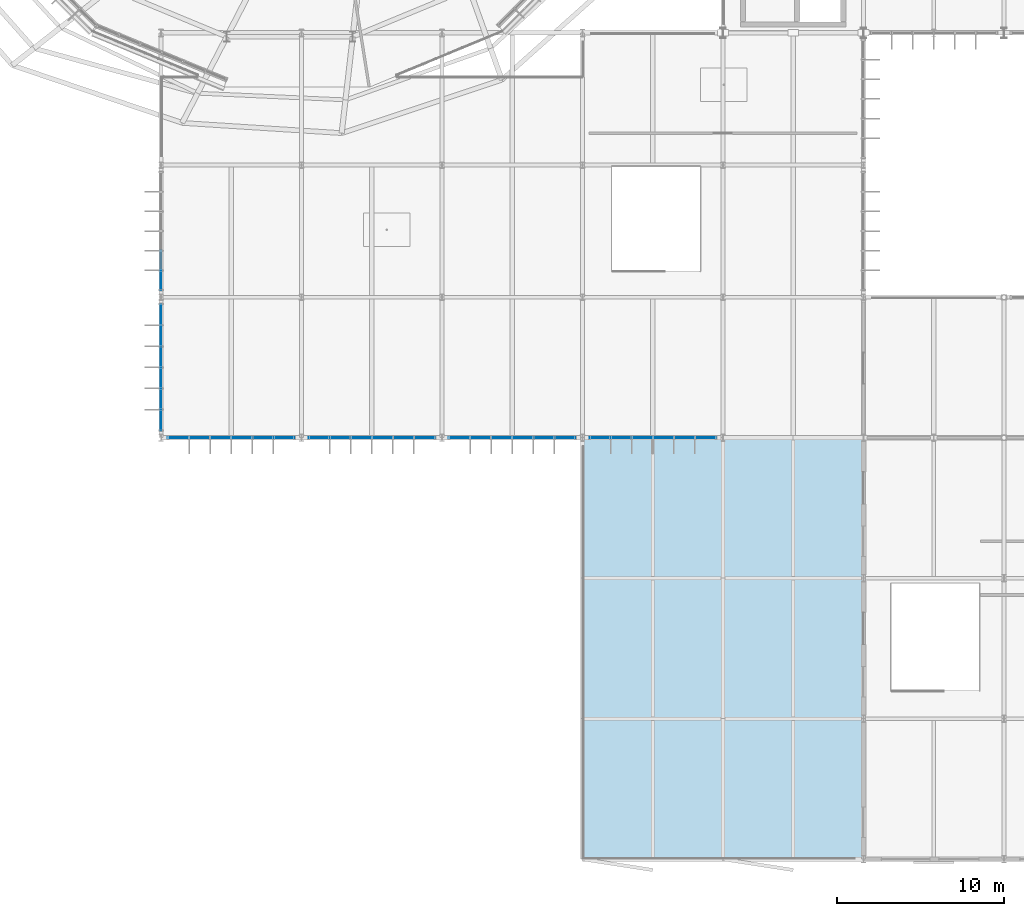
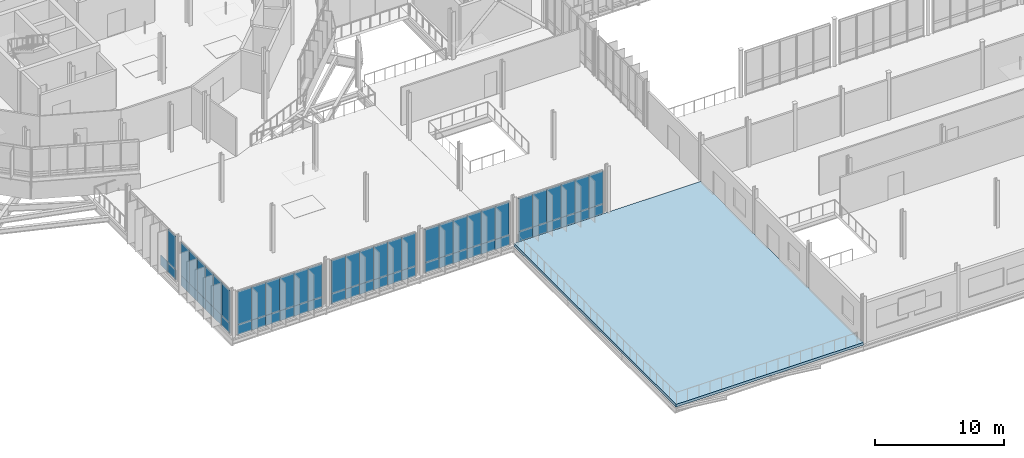
# One storey, part 85 of 139: 63 plates, 1 slab, 6 elements without a shape of their own.
"""IFC4 building model written with IfcOpenShell, lengths in metres."""

from ifc_helpers import new_model, si_unit, derived_unit, direction, frame, origin, origin_2d, place, context, subcontext, project, spatial, polyline, rectangle, outline, extrude, material, layer, layer_set, type_object, element, aggregate, save


model = new_model("IFC4")

# Units and contexts
model_context = context("Model", 3, precision=1e-05, world=origin(), true_north=direction((0.0, 1.0)))
body_context = subcontext(model_context, "Body", "Model", "MODEL_VIEW")
ifc_project = project(units=[si_unit("LENGTHUNIT", "METRE"), si_unit("AREAUNIT", "SQUARE_METRE"), si_unit("VOLUMEUNIT", "CUBIC_METRE"), si_unit("PLANEANGLEUNIT", "RADIAN"), si_unit("MASSUNIT", "GRAM", prefix="KILO"), derived_unit("THERMALTRANSMITTANCEUNIT", [(si_unit("MASSUNIT", "GRAM", prefix="KILO"), 1), (si_unit("TIMEUNIT", "SECOND"), -3), (si_unit("THERMODYNAMICTEMPERATUREUNIT", "KELVIN"), -1)])], contexts=[model_context])

# Site, building, storey
site_placement = place(None, origin())
site = spatial("IfcSite", under=ifc_project, at=site_placement, CompositionType="ELEMENT")
building_placement = place(site_placement, origin())
building = spatial("IfcBuilding", under=site, at=building_placement, Name="Makaiwela Harbour Ferry Terminal", CompositionType="ELEMENT")
storey_placement = place(building_placement, frame((0.0, 0.0, 5.10009765625)))
storey = spatial("IfcBuildingStorey", under=building, at=storey_placement, Name="L01", CompositionType="ELEMENT", Elevation=5.10009765625)

# Curtain wall, plates
ifc_material_1 = material(Name="Marine anodised aluminium 6063-T6", Category="aluminium")
ifc_layer_1 = layer(ifc_material_1, 0.199951171875)
ifc_layer_set_1 = layer_set([ifc_layer_1], Name="Marine anodised aluminium 6063-T6")
curtain_wall_type_1 = type_object("IfcCurtainWallType", Name="ENV-CW-08", PredefinedType="USERDEFINED", material=ifc_layer_set_1)
curtain_wall_1_placement = place(storey_placement, origin())
curtain_wall_1 = element("IfcCurtainWall", 1, at=curtain_wall_1_placement, inside=storey, type_object=curtain_wall_type_1, Name="Unitised Curtain Wall CWA-098", ObjectType="UNITIZED CURTAIN WALL", PredefinedType="USERDEFINED")
ifc_material_2 = material(Name="Laminated hurricane-impact low-E insulated glazing", Category="glass")
ifc_layer_2 = layer(ifc_material_2, 0.031982421875)
ifc_layer_set_2 = layer_set([ifc_layer_2], Name="Laminated hurricane-impact low-E insulated glazing")
plate_type_1 = type_object("IfcPlateType", Name="CW-PNL-G12", PredefinedType="CURTAIN_PANEL", material=ifc_layer_set_2)
plate_1_placement = place(storey_placement, frame((36.75, 25.199951171875, 0.949951171875), z_axis=(0.0, 0.0, 1.0), x_axis=(-1.0, 0.0, 0.0)))
plate_1 = element("IfcPlate", 2, at=plate_1_placement, type_object=plate_type_1, Name="Glazed Vision Panel CWA-098-1G", PredefinedType="CURTAIN_PANEL", context=body_context, shape_type="SweptSolid", body=[
    extrude(rectangle(XDim=1.260009765625, YDim=0.031982421875, at=origin_2d()), origin(), (0.0, 0.0, 1.0), 3.14990234375),
])
plate_2_placement = place(storey_placement, frame((35.489990234375, 25.199951171875, 0.949951171875), z_axis=(0.0, 0.0, 1.0), x_axis=(-1.0, 0.0, 0.0)))
plate_2 = element("IfcPlate", 3, at=plate_2_placement, type_object=plate_type_1, Name="Glazed Vision Panel CWA-098-2G", PredefinedType="CURTAIN_PANEL", context=body_context, shape_type="SweptSolid", body=[
    extrude(rectangle(XDim=1.260009765625, YDim=0.031982421875, at=origin_2d()), origin(), (0.0, 0.0, 1.0), 3.14990234375),
])
plate_3_placement = place(storey_placement, frame((34.22998046875, 25.199951171875, 0.949951171875), z_axis=(0.0, 0.0, 1.0), x_axis=(-1.0, 0.0, 0.0)))
plate_3 = element("IfcPlate", 4, at=plate_3_placement, type_object=plate_type_1, Name="Glazed Vision Panel CWA-098-3G", PredefinedType="CURTAIN_PANEL", context=body_context, shape_type="SweptSolid", body=[
    extrude(rectangle(XDim=1.260009765625, YDim=0.031982421875, at=origin_2d()), origin(), (0.0, 0.0, 1.0), 3.14990234375),
])
plate_4_placement = place(storey_placement, frame((32.969970703125, 25.199951171875, 0.949951171875), z_axis=(0.0, 0.0, 1.0), x_axis=(-1.0, 0.0, 0.0)))
plate_4 = element("IfcPlate", 5, at=plate_4_placement, type_object=plate_type_1, Name="Glazed Vision Panel CWA-098-4G", PredefinedType="CURTAIN_PANEL", context=body_context, shape_type="SweptSolid", body=[
    extrude(rectangle(XDim=1.260009765625, YDim=0.031982421875, at=origin_2d()), origin(), (0.0, 0.0, 1.0), 3.14990234375),
])
plate_5_placement = place(storey_placement, frame((31.7099609375, 25.199951171875, 0.949951171875), z_axis=(0.0, 0.0, 1.0), x_axis=(-1.0, 0.0, 0.0)))
plate_5 = element("IfcPlate", 6, at=plate_5_placement, type_object=plate_type_1, Name="Glazed Vision Panel CWA-098-5G", PredefinedType="CURTAIN_PANEL", context=body_context, shape_type="SweptSolid", body=[
    extrude(rectangle(XDim=1.260009765625, YDim=0.031982421875, at=origin_2d()), origin(), (0.0, 0.0, 1.0), 3.14990234375),
])
plate_6_placement = place(storey_placement, frame((30.449951171875, 25.199951171875, 0.949951171875), z_axis=(0.0, 0.0, 1.0), x_axis=(-1.0, 0.0, 0.0)))
plate_6 = element("IfcPlate", 7, at=plate_6_placement, type_object=plate_type_1, Name="Glazed Vision Panel CWA-098-6G", PredefinedType="CURTAIN_PANEL", context=body_context, shape_type="SweptSolid", body=[
    extrude(rectangle(XDim=1.260009765625, YDim=0.031982421875, at=origin_2d()), origin(), (0.0, 0.0, 1.0), 3.14990234375),
])

curtain_wall_2_placement = place(storey_placement, origin())
curtain_wall_2 = element("IfcCurtainWall", 8, at=curtain_wall_2_placement, inside=storey, type_object=curtain_wall_type_1, Name="Unitised Curtain Wall CWA-101", ObjectType="UNITIZED CURTAIN WALL", PredefinedType="USERDEFINED")
plate_7_placement = place(storey_placement, frame((45.14990234375, 25.199951171875, 0.949951171875), z_axis=(0.0, 0.0, 1.0), x_axis=(-1.0, 0.0, 0.0)))
plate_7 = element("IfcPlate", 9, at=plate_7_placement, type_object=plate_type_1, Name="Glazed Vision Panel CWA-101-1G", PredefinedType="CURTAIN_PANEL", context=body_context, shape_type="SweptSolid", body=[
    extrude(rectangle(XDim=1.260009765625, YDim=0.031982421875, at=origin_2d()), origin(), (0.0, 0.0, 1.0), 3.14990234375),
])
plate_8_placement = place(storey_placement, frame((43.889892578125, 25.199951171875, 0.949951171875), z_axis=(0.0, 0.0, 1.0), x_axis=(-1.0, 0.0, 0.0)))
plate_8 = element("IfcPlate", 10, at=plate_8_placement, type_object=plate_type_1, Name="Glazed Vision Panel CWA-101-2G", PredefinedType="CURTAIN_PANEL", context=body_context, shape_type="SweptSolid", body=[
    extrude(rectangle(XDim=1.260009765625, YDim=0.031982421875, at=origin_2d()), origin(), (0.0, 0.0, 1.0), 3.14990234375),
])
plate_9_placement = place(storey_placement, frame((42.6298828125, 25.199951171875, 0.949951171875), z_axis=(0.0, 0.0, 1.0), x_axis=(-1.0, 0.0, 0.0)))
plate_9 = element("IfcPlate", 11, at=plate_9_placement, type_object=plate_type_1, Name="Glazed Vision Panel CWA-101-3G", PredefinedType="CURTAIN_PANEL", context=body_context, shape_type="SweptSolid", body=[
    extrude(rectangle(XDim=1.260009765625, YDim=0.031982421875, at=origin_2d()), origin(), (0.0, 0.0, 1.0), 3.14990234375),
])
plate_10_placement = place(storey_placement, frame((41.3701171875, 25.199951171875, 0.949951171875), z_axis=(0.0, 0.0, 1.0), x_axis=(-1.0, 0.0, 0.0)))
plate_10 = element("IfcPlate", 12, at=plate_10_placement, type_object=plate_type_1, Name="Glazed Vision Panel CWA-101-4G", PredefinedType="CURTAIN_PANEL", context=body_context, shape_type="SweptSolid", body=[
    extrude(rectangle(XDim=1.260009765625, YDim=0.031982421875, at=origin_2d()), origin(), (0.0, 0.0, 1.0), 3.14990234375),
])
plate_11_placement = place(storey_placement, frame((40.110107421875, 25.199951171875, 0.949951171875), z_axis=(0.0, 0.0, 1.0), x_axis=(-1.0, 0.0, 0.0)))
plate_11 = element("IfcPlate", 13, at=plate_11_placement, type_object=plate_type_1, Name="Glazed Vision Panel CWA-101-5G", PredefinedType="CURTAIN_PANEL", context=body_context, shape_type="SweptSolid", body=[
    extrude(rectangle(XDim=1.260009765625, YDim=0.031982421875, at=origin_2d()), origin(), (0.0, 0.0, 1.0), 3.14990234375),
])
plate_12_placement = place(storey_placement, frame((38.85009765625, 25.199951171875, 0.949951171875), z_axis=(0.0, 0.0, 1.0), x_axis=(-1.0, 0.0, 0.0)))
plate_12 = element("IfcPlate", 14, at=plate_12_placement, type_object=plate_type_1, Name="Glazed Vision Panel CWA-101-6G", PredefinedType="CURTAIN_PANEL", context=body_context, shape_type="SweptSolid", body=[
    extrude(rectangle(XDim=1.260009765625, YDim=0.031982421875, at=origin_2d()), origin(), (0.0, 0.0, 1.0), 3.14990234375),
])

curtain_wall_3_placement = place(storey_placement, origin())
curtain_wall_3 = element("IfcCurtainWall", 15, at=curtain_wall_3_placement, inside=storey, type_object=curtain_wall_type_1, Name="Unitised Curtain Wall CWA-104", ObjectType="UNITIZED CURTAIN WALL", PredefinedType="USERDEFINED")
plate_13_placement = place(storey_placement, frame((53.550048828125, 25.199951171875, 0.949951171875), z_axis=(0.0, 0.0, 1.0), x_axis=(-1.0, 0.0, 0.0)))
plate_13 = element("IfcPlate", 16, at=plate_13_placement, type_object=plate_type_1, Name="Glazed Vision Panel CWA-104-1G", PredefinedType="CURTAIN_PANEL", context=body_context, shape_type="SweptSolid", body=[
    extrude(rectangle(XDim=1.260009765625, YDim=0.031982421875, at=origin_2d()), origin(), (0.0, 0.0, 1.0), 3.14990234375),
])
plate_14_placement = place(storey_placement, frame((52.2900390625, 25.199951171875, 0.949951171875), z_axis=(0.0, 0.0, 1.0), x_axis=(-1.0, 0.0, 0.0)))
plate_14 = element("IfcPlate", 17, at=plate_14_placement, type_object=plate_type_1, Name="Glazed Vision Panel CWA-104-2G", PredefinedType="CURTAIN_PANEL", context=body_context, shape_type="SweptSolid", body=[
    extrude(rectangle(XDim=1.260009765625, YDim=0.031982421875, at=origin_2d()), origin(), (0.0, 0.0, 1.0), 3.14990234375),
])
plate_15_placement = place(storey_placement, frame((51.030029296875, 25.199951171875, 0.949951171875), z_axis=(0.0, 0.0, 1.0), x_axis=(-1.0, 0.0, 0.0)))
plate_15 = element("IfcPlate", 18, at=plate_15_placement, type_object=plate_type_1, Name="Glazed Vision Panel CWA-104-3G", PredefinedType="CURTAIN_PANEL", context=body_context, shape_type="SweptSolid", body=[
    extrude(rectangle(XDim=1.260009765625, YDim=0.031982421875, at=origin_2d()), origin(), (0.0, 0.0, 1.0), 3.14990234375),
])
plate_16_placement = place(storey_placement, frame((49.77001953125, 25.199951171875, 0.949951171875), z_axis=(0.0, 0.0, 1.0), x_axis=(-1.0, 0.0, 0.0)))
plate_16 = element("IfcPlate", 19, at=plate_16_placement, type_object=plate_type_1, Name="Glazed Vision Panel CWA-104-4G", PredefinedType="CURTAIN_PANEL", context=body_context, shape_type="SweptSolid", body=[
    extrude(rectangle(XDim=1.260009765625, YDim=0.031982421875, at=origin_2d()), origin(), (0.0, 0.0, 1.0), 3.14990234375),
])
plate_17_placement = place(storey_placement, frame((48.510009765625, 25.199951171875, 0.949951171875), z_axis=(0.0, 0.0, 1.0), x_axis=(-1.0, 0.0, 0.0)))
plate_17 = element("IfcPlate", 20, at=plate_17_placement, type_object=plate_type_1, Name="Glazed Vision Panel CWA-104-5G", PredefinedType="CURTAIN_PANEL", context=body_context, shape_type="SweptSolid", body=[
    extrude(rectangle(XDim=1.260009765625, YDim=0.031982421875, at=origin_2d()), origin(), (0.0, 0.0, 1.0), 3.14990234375),
])
plate_18_placement = place(storey_placement, frame((47.25, 25.199951171875, 0.949951171875), z_axis=(0.0, 0.0, 1.0), x_axis=(-1.0, 0.0, 0.0)))
plate_18 = element("IfcPlate", 21, at=plate_18_placement, type_object=plate_type_1, Name="Glazed Vision Panel CWA-104-6G", PredefinedType="CURTAIN_PANEL", context=body_context, shape_type="SweptSolid", body=[
    extrude(rectangle(XDim=1.260009765625, YDim=0.031982421875, at=origin_2d()), origin(), (0.0, 0.0, 1.0), 3.14990234375),
])

curtain_wall_4_placement = place(storey_placement, origin())
curtain_wall_4 = element("IfcCurtainWall", 22, at=curtain_wall_4_placement, inside=storey, type_object=curtain_wall_type_1, Name="Unitised Curtain Wall CWA-106", ObjectType="UNITIZED CURTAIN WALL", PredefinedType="USERDEFINED")
plate_19_placement = place(storey_placement, frame((61.949951171875, 25.199951171875, 0.949951171875), z_axis=(0.0, 0.0, 1.0), x_axis=(-1.0, 0.0, 0.0)))
plate_19 = element("IfcPlate", 23, at=plate_19_placement, type_object=plate_type_1, Name="Glazed Vision Panel CWA-106-1G", PredefinedType="CURTAIN_PANEL", context=body_context, shape_type="SweptSolid", body=[
    extrude(rectangle(XDim=1.260009765625, YDim=0.031982421875, at=origin_2d()), origin(), (0.0, 0.0, 1.0), 3.14990234375),
])
plate_20_placement = place(storey_placement, frame((60.68994140625, 25.199951171875, 0.949951171875), z_axis=(0.0, 0.0, 1.0), x_axis=(-1.0, 0.0, 0.0)))
plate_20 = element("IfcPlate", 24, at=plate_20_placement, type_object=plate_type_1, Name="Glazed Vision Panel CWA-106-2G", PredefinedType="CURTAIN_PANEL", context=body_context, shape_type="SweptSolid", body=[
    extrude(rectangle(XDim=1.260009765625, YDim=0.031982421875, at=origin_2d()), origin(), (0.0, 0.0, 1.0), 3.14990234375),
])
plate_21_placement = place(storey_placement, frame((59.429931640625, 25.199951171875, 0.949951171875), z_axis=(0.0, 0.0, 1.0), x_axis=(-1.0, 0.0, 0.0)))
plate_21 = element("IfcPlate", 25, at=plate_21_placement, type_object=plate_type_1, Name="Glazed Vision Panel CWA-106-3G", PredefinedType="CURTAIN_PANEL", context=body_context, shape_type="SweptSolid", body=[
    extrude(rectangle(XDim=1.260009765625, YDim=0.031982421875, at=origin_2d()), origin(), (0.0, 0.0, 1.0), 3.14990234375),
])
plate_22_placement = place(storey_placement, frame((58.169921875, 25.199951171875, 0.949951171875), z_axis=(0.0, 0.0, 1.0), x_axis=(-1.0, 0.0, 0.0)))
plate_22 = element("IfcPlate", 26, at=plate_22_placement, type_object=plate_type_1, Name="Glazed Vision Panel CWA-106-4G", PredefinedType="CURTAIN_PANEL", context=body_context, shape_type="SweptSolid", body=[
    extrude(rectangle(XDim=1.260009765625, YDim=0.031982421875, at=origin_2d()), origin(), (0.0, 0.0, 1.0), 3.14990234375),
])
plate_23_placement = place(storey_placement, frame((56.909912109375, 25.199951171875, 0.949951171875), z_axis=(0.0, 0.0, 1.0), x_axis=(-1.0, 0.0, 0.0)))
plate_23 = element("IfcPlate", 27, at=plate_23_placement, type_object=plate_type_1, Name="Glazed Vision Panel CWA-106-5G", PredefinedType="CURTAIN_PANEL", context=body_context, shape_type="SweptSolid", body=[
    extrude(rectangle(XDim=1.260009765625, YDim=0.031982421875, at=origin_2d()), origin(), (0.0, 0.0, 1.0), 3.14990234375),
])
plate_24_placement = place(storey_placement, frame((55.64990234375, 25.199951171875, 0.949951171875), z_axis=(0.0, 0.0, 1.0), x_axis=(-1.0, 0.0, 0.0)))
plate_24 = element("IfcPlate", 28, at=plate_24_placement, type_object=plate_type_1, Name="Glazed Vision Panel CWA-106-6G", PredefinedType="CURTAIN_PANEL", context=body_context, shape_type="SweptSolid", body=[
    extrude(rectangle(XDim=1.260009765625, YDim=0.031982421875, at=origin_2d()), origin(), (0.0, 0.0, 1.0), 3.14990234375),
])

curtain_wall_5_placement = place(storey_placement, origin())
curtain_wall_5 = element("IfcCurtainWall", 29, at=curtain_wall_5_placement, inside=storey, type_object=curtain_wall_type_1, Name="Unitised Curtain Wall CWA-115", ObjectType="UNITIZED CURTAIN WALL", PredefinedType="USERDEFINED")
plate_25_placement = place(storey_placement, frame((29.39990234375, 26.25, 0.949951171875), z_axis=(0.0, 0.0, 1.0), x_axis=(0.0, 1.0, 0.0)))
plate_25 = element("IfcPlate", 30, at=plate_25_placement, type_object=plate_type_1, Name="Glazed Vision Panel CWA-115-1G", PredefinedType="CURTAIN_PANEL", context=body_context, shape_type="SweptSolid", body=[
    extrude(rectangle(XDim=1.260009765625, YDim=0.031982421875, at=origin_2d()), origin(), (0.0, 0.0, 1.0), 3.14990234375),
])
plate_26_placement = place(storey_placement, frame((29.39990234375, 27.510009765625, 0.949951171875), z_axis=(0.0, 0.0, 1.0), x_axis=(0.0, 1.0, 0.0)))
plate_26 = element("IfcPlate", 31, at=plate_26_placement, type_object=plate_type_1, Name="Glazed Vision Panel CWA-115-2G", PredefinedType="CURTAIN_PANEL", context=body_context, shape_type="SweptSolid", body=[
    extrude(rectangle(XDim=1.260009765625, YDim=0.031982421875, at=origin_2d()), origin(), (0.0, 0.0, 1.0), 3.14990234375),
])
plate_27_placement = place(storey_placement, frame((29.39990234375, 28.77001953125, 0.949951171875), z_axis=(0.0, 0.0, 1.0), x_axis=(0.0, 1.0, 0.0)))
plate_27 = element("IfcPlate", 32, at=plate_27_placement, type_object=plate_type_1, Name="Glazed Vision Panel CWA-115-3G", PredefinedType="CURTAIN_PANEL", context=body_context, shape_type="SweptSolid", body=[
    extrude(rectangle(XDim=1.260009765625, YDim=0.031982421875, at=origin_2d()), origin(), (0.0, 0.0, 1.0), 3.14990234375),
])
plate_28_placement = place(storey_placement, frame((29.39990234375, 30.030029296875, 0.949951171875), z_axis=(0.0, 0.0, 1.0), x_axis=(0.0, 1.0, 0.0)))
plate_28 = element("IfcPlate", 33, at=plate_28_placement, type_object=plate_type_1, Name="Glazed Vision Panel CWA-115-4G", PredefinedType="CURTAIN_PANEL", context=body_context, shape_type="SweptSolid", body=[
    extrude(rectangle(XDim=1.260009765625, YDim=0.031982421875, at=origin_2d()), origin(), (0.0, 0.0, 1.0), 3.14990234375),
])
plate_29_placement = place(storey_placement, frame((29.39990234375, 31.2900390625, 0.949951171875), z_axis=(0.0, 0.0, 1.0), x_axis=(0.0, 1.0, 0.0)))
plate_29 = element("IfcPlate", 34, at=plate_29_placement, type_object=plate_type_1, Name="Glazed Vision Panel CWA-115-5G", PredefinedType="CURTAIN_PANEL", context=body_context, shape_type="SweptSolid", body=[
    extrude(rectangle(XDim=1.260009765625, YDim=0.031982421875, at=origin_2d()), origin(), (0.0, 0.0, 1.0), 3.14990234375),
])
plate_30_placement = place(storey_placement, frame((29.39990234375, 32.550048828125, 0.949951171875), z_axis=(0.0, 0.0, 1.0), x_axis=(0.0, 1.0, 0.0)))
plate_30 = element("IfcPlate", 35, at=plate_30_placement, type_object=plate_type_1, Name="Glazed Vision Panel CWA-115-6G", PredefinedType="CURTAIN_PANEL", context=body_context, shape_type="SweptSolid", body=[
    extrude(rectangle(XDim=1.260009765625, YDim=0.031982421875, at=origin_2d()), origin(), (0.0, 0.0, 1.0), 3.14990234375),
])

# Curtain wall, plate
ifc_layer_3 = layer(ifc_material_1, 0.199951171875)
ifc_layer_set_3 = layer_set([ifc_layer_3], Name="Marine anodised aluminium 6063-T6")
curtain_wall_type_2 = type_object("IfcCurtainWallType", Name="ENV-CW-13", PredefinedType="USERDEFINED", material=ifc_layer_set_3)
curtain_wall_6_placement = place(storey_placement, origin())
curtain_wall_6 = element("IfcCurtainWall", 36, at=curtain_wall_6_placement, inside=storey, type_object=curtain_wall_type_2, Name="Unitised Curtain Wall CWA-118", ObjectType="UNITIZED CURTAIN WALL", PredefinedType="USERDEFINED")
ifc_layer_4 = layer(ifc_material_2, 0.031982421875)
ifc_layer_set_4 = layer_set([ifc_layer_4], Name="Laminated hurricane-impact low-E insulated glazing")
plate_type_2 = type_object("IfcPlateType", Name="CW-PNL-G18", PredefinedType="CURTAIN_PANEL", material=ifc_layer_set_4)
plate_31_placement = place(storey_placement, frame((29.39990234375, 34.6083984375, 0.949951171875), z_axis=(0.0, 0.0, 1.0), x_axis=(0.0, 1.0, 0.0)))
plate_31 = element("IfcPlate", 37, at=plate_31_placement, type_object=plate_type_2, Name="Glazed Vision Panel CWA-118-1G", PredefinedType="CURTAIN_PANEL", context=body_context, shape_type="SweptSolid", body=[
    extrude(rectangle(XDim=1.1767578125, YDim=0.031982421875, at=origin_2d()), origin(), (0.0, 0.0, 1.0), 3.14990234375),
])

# Plate
ifc_material_3 = material(Name="Insulated marine aluminium spandrel panel", Category="aluminium")
ifc_layer_5 = layer(ifc_material_3, 0.048095703125)
ifc_layer_set_5 = layer_set([ifc_layer_5], Name="Insulated marine aluminium spandrel panel")
plate_type_3 = type_object("IfcPlateType", Name="CW-PNL-S11", PredefinedType="CURTAIN_PANEL", material=ifc_layer_set_5)
plate_32_placement = place(storey_placement, frame((36.75, 25.199951171875, 0.0), z_axis=(0.0, 0.0, 1.0), x_axis=(-1.0, 0.0, 0.0)))
plate_32 = element("IfcPlate", 38, at=plate_32_placement, type_object=plate_type_3, Name="Spandrel Panel CWA-098-1S", PredefinedType="CURTAIN_PANEL", context=body_context, shape_type="SweptSolid", body=[
    extrude(rectangle(XDim=1.260009765625, YDim=0.048095703125, at=origin_2d()), origin(), (0.0, 0.0, 1.0), 0.949951171875),
])

plate_33_placement = place(storey_placement, frame((35.489990234375, 25.199951171875, 0.0), z_axis=(0.0, 0.0, 1.0), x_axis=(-1.0, 0.0, 0.0)))
plate_33 = element("IfcPlate", 39, at=plate_33_placement, type_object=plate_type_3, Name="Spandrel Panel CWA-098-2S", PredefinedType="CURTAIN_PANEL", context=body_context, shape_type="SweptSolid", body=[
    extrude(rectangle(XDim=1.260009765625, YDim=0.048095703125, at=origin_2d()), origin(), (0.0, 0.0, 1.0), 0.949951171875),
])

plate_34_placement = place(storey_placement, frame((34.22998046875, 25.199951171875, 0.0), z_axis=(0.0, 0.0, 1.0), x_axis=(-1.0, 0.0, 0.0)))
plate_34 = element("IfcPlate", 40, at=plate_34_placement, type_object=plate_type_3, Name="Spandrel Panel CWA-098-3S", PredefinedType="CURTAIN_PANEL", context=body_context, shape_type="SweptSolid", body=[
    extrude(rectangle(XDim=1.260009765625, YDim=0.048095703125, at=origin_2d()), origin(), (0.0, 0.0, 1.0), 0.949951171875),
])

plate_35_placement = place(storey_placement, frame((32.969970703125, 25.199951171875, 0.0), z_axis=(0.0, 0.0, 1.0), x_axis=(-1.0, 0.0, 0.0)))
plate_35 = element("IfcPlate", 41, at=plate_35_placement, type_object=plate_type_3, Name="Spandrel Panel CWA-098-4S", PredefinedType="CURTAIN_PANEL", context=body_context, shape_type="SweptSolid", body=[
    extrude(rectangle(XDim=1.260009765625, YDim=0.048095703125, at=origin_2d()), origin(), (0.0, 0.0, 1.0), 0.949951171875),
])

plate_36_placement = place(storey_placement, frame((31.7099609375, 25.199951171875, 0.0), z_axis=(0.0, 0.0, 1.0), x_axis=(-1.0, 0.0, 0.0)))
plate_36 = element("IfcPlate", 42, at=plate_36_placement, type_object=plate_type_3, Name="Spandrel Panel CWA-098-5S", PredefinedType="CURTAIN_PANEL", context=body_context, shape_type="SweptSolid", body=[
    extrude(rectangle(XDim=1.260009765625, YDim=0.048095703125, at=origin_2d()), origin(), (0.0, 0.0, 1.0), 0.949951171875),
])

plate_37_placement = place(storey_placement, frame((30.449951171875, 25.199951171875, 0.0), z_axis=(0.0, 0.0, 1.0), x_axis=(-1.0, 0.0, 0.0)))
plate_37 = element("IfcPlate", 43, at=plate_37_placement, type_object=plate_type_3, Name="Spandrel Panel CWA-098-6S", PredefinedType="CURTAIN_PANEL", context=body_context, shape_type="SweptSolid", body=[
    extrude(rectangle(XDim=1.260009765625, YDim=0.048095703125, at=origin_2d()), origin(), (0.0, 0.0, 1.0), 0.949951171875),
])

aggregate(curtain_wall_1, [plate_32, plate_1, plate_33, plate_2, plate_34, plate_3, plate_35, plate_4, plate_36, plate_5, plate_37, plate_6])

plate_38_placement = place(storey_placement, frame((45.14990234375, 25.199951171875, 0.0), z_axis=(0.0, 0.0, 1.0), x_axis=(-1.0, 0.0, 0.0)))
plate_38 = element("IfcPlate", 44, at=plate_38_placement, type_object=plate_type_3, Name="Spandrel Panel CWA-101-1S", PredefinedType="CURTAIN_PANEL", context=body_context, shape_type="SweptSolid", body=[
    extrude(rectangle(XDim=1.260009765625, YDim=0.048095703125, at=origin_2d()), origin(), (0.0, 0.0, 1.0), 0.949951171875),
])

plate_39_placement = place(storey_placement, frame((43.889892578125, 25.199951171875, 0.0), z_axis=(0.0, 0.0, 1.0), x_axis=(-1.0, 0.0, 0.0)))
plate_39 = element("IfcPlate", 45, at=plate_39_placement, type_object=plate_type_3, Name="Spandrel Panel CWA-101-2S", PredefinedType="CURTAIN_PANEL", context=body_context, shape_type="SweptSolid", body=[
    extrude(rectangle(XDim=1.260009765625, YDim=0.048095703125, at=origin_2d()), origin(), (0.0, 0.0, 1.0), 0.949951171875),
])

plate_40_placement = place(storey_placement, frame((42.6298828125, 25.199951171875, 0.0), z_axis=(0.0, 0.0, 1.0), x_axis=(-1.0, 0.0, 0.0)))
plate_40 = element("IfcPlate", 46, at=plate_40_placement, type_object=plate_type_3, Name="Spandrel Panel CWA-101-3S", PredefinedType="CURTAIN_PANEL", context=body_context, shape_type="SweptSolid", body=[
    extrude(rectangle(XDim=1.260009765625, YDim=0.048095703125, at=origin_2d()), origin(), (0.0, 0.0, 1.0), 0.949951171875),
])

plate_41_placement = place(storey_placement, frame((41.3701171875, 25.199951171875, 0.0), z_axis=(0.0, 0.0, 1.0), x_axis=(-1.0, 0.0, 0.0)))
plate_41 = element("IfcPlate", 47, at=plate_41_placement, type_object=plate_type_3, Name="Spandrel Panel CWA-101-4S", PredefinedType="CURTAIN_PANEL", context=body_context, shape_type="SweptSolid", body=[
    extrude(rectangle(XDim=1.260009765625, YDim=0.048095703125, at=origin_2d()), origin(), (0.0, 0.0, 1.0), 0.949951171875),
])

plate_42_placement = place(storey_placement, frame((40.110107421875, 25.199951171875, 0.0), z_axis=(0.0, 0.0, 1.0), x_axis=(-1.0, 0.0, 0.0)))
plate_42 = element("IfcPlate", 48, at=plate_42_placement, type_object=plate_type_3, Name="Spandrel Panel CWA-101-5S", PredefinedType="CURTAIN_PANEL", context=body_context, shape_type="SweptSolid", body=[
    extrude(rectangle(XDim=1.260009765625, YDim=0.048095703125, at=origin_2d()), origin(), (0.0, 0.0, 1.0), 0.949951171875),
])

plate_43_placement = place(storey_placement, frame((38.85009765625, 25.199951171875, 0.0), z_axis=(0.0, 0.0, 1.0), x_axis=(-1.0, 0.0, 0.0)))
plate_43 = element("IfcPlate", 49, at=plate_43_placement, type_object=plate_type_3, Name="Spandrel Panel CWA-101-6S", PredefinedType="CURTAIN_PANEL", context=body_context, shape_type="SweptSolid", body=[
    extrude(rectangle(XDim=1.260009765625, YDim=0.048095703125, at=origin_2d()), origin(), (0.0, 0.0, 1.0), 0.949951171875),
])

aggregate(curtain_wall_2, [plate_38, plate_7, plate_39, plate_8, plate_40, plate_9, plate_41, plate_10, plate_42, plate_11, plate_43, plate_12])

plate_44_placement = place(storey_placement, frame((53.550048828125, 25.199951171875, 0.0), z_axis=(0.0, 0.0, 1.0), x_axis=(-1.0, 0.0, 0.0)))
plate_44 = element("IfcPlate", 50, at=plate_44_placement, type_object=plate_type_3, Name="Spandrel Panel CWA-104-1S", PredefinedType="CURTAIN_PANEL", context=body_context, shape_type="SweptSolid", body=[
    extrude(rectangle(XDim=1.260009765625, YDim=0.048095703125, at=origin_2d()), origin(), (0.0, 0.0, 1.0), 0.949951171875),
])

plate_45_placement = place(storey_placement, frame((52.2900390625, 25.199951171875, 0.0), z_axis=(0.0, 0.0, 1.0), x_axis=(-1.0, 0.0, 0.0)))
plate_45 = element("IfcPlate", 51, at=plate_45_placement, type_object=plate_type_3, Name="Spandrel Panel CWA-104-2S", PredefinedType="CURTAIN_PANEL", context=body_context, shape_type="SweptSolid", body=[
    extrude(rectangle(XDim=1.260009765625, YDim=0.048095703125, at=origin_2d()), origin(), (0.0, 0.0, 1.0), 0.949951171875),
])

plate_46_placement = place(storey_placement, frame((51.030029296875, 25.199951171875, 0.0), z_axis=(0.0, 0.0, 1.0), x_axis=(-1.0, 0.0, 0.0)))
plate_46 = element("IfcPlate", 52, at=plate_46_placement, type_object=plate_type_3, Name="Spandrel Panel CWA-104-3S", PredefinedType="CURTAIN_PANEL", context=body_context, shape_type="SweptSolid", body=[
    extrude(rectangle(XDim=1.260009765625, YDim=0.048095703125, at=origin_2d()), origin(), (0.0, 0.0, 1.0), 0.949951171875),
])

plate_47_placement = place(storey_placement, frame((49.77001953125, 25.199951171875, 0.0), z_axis=(0.0, 0.0, 1.0), x_axis=(-1.0, 0.0, 0.0)))
plate_47 = element("IfcPlate", 53, at=plate_47_placement, type_object=plate_type_3, Name="Spandrel Panel CWA-104-4S", PredefinedType="CURTAIN_PANEL", context=body_context, shape_type="SweptSolid", body=[
    extrude(rectangle(XDim=1.260009765625, YDim=0.048095703125, at=origin_2d()), origin(), (0.0, 0.0, 1.0), 0.949951171875),
])

plate_48_placement = place(storey_placement, frame((48.510009765625, 25.199951171875, 0.0), z_axis=(0.0, 0.0, 1.0), x_axis=(-1.0, 0.0, 0.0)))
plate_48 = element("IfcPlate", 54, at=plate_48_placement, type_object=plate_type_3, Name="Spandrel Panel CWA-104-5S", PredefinedType="CURTAIN_PANEL", context=body_context, shape_type="SweptSolid", body=[
    extrude(rectangle(XDim=1.260009765625, YDim=0.048095703125, at=origin_2d()), origin(), (0.0, 0.0, 1.0), 0.949951171875),
])

plate_49_placement = place(storey_placement, frame((47.25, 25.199951171875, 0.0), z_axis=(0.0, 0.0, 1.0), x_axis=(-1.0, 0.0, 0.0)))
plate_49 = element("IfcPlate", 55, at=plate_49_placement, type_object=plate_type_3, Name="Spandrel Panel CWA-104-6S", PredefinedType="CURTAIN_PANEL", context=body_context, shape_type="SweptSolid", body=[
    extrude(rectangle(XDim=1.260009765625, YDim=0.048095703125, at=origin_2d()), origin(), (0.0, 0.0, 1.0), 0.949951171875),
])

aggregate(curtain_wall_3, [plate_44, plate_13, plate_45, plate_14, plate_46, plate_15, plate_47, plate_16, plate_48, plate_17, plate_49, plate_18])

plate_50_placement = place(storey_placement, frame((61.949951171875, 25.199951171875, 0.0), z_axis=(0.0, 0.0, 1.0), x_axis=(-1.0, 0.0, 0.0)))
plate_50 = element("IfcPlate", 56, at=plate_50_placement, type_object=plate_type_3, Name="Spandrel Panel CWA-106-1S", PredefinedType="CURTAIN_PANEL", context=body_context, shape_type="SweptSolid", body=[
    extrude(rectangle(XDim=1.260009765625, YDim=0.048095703125, at=origin_2d()), origin(), (0.0, 0.0, 1.0), 0.949951171875),
])

plate_51_placement = place(storey_placement, frame((60.68994140625, 25.199951171875, 0.0), z_axis=(0.0, 0.0, 1.0), x_axis=(-1.0, 0.0, 0.0)))
plate_51 = element("IfcPlate", 57, at=plate_51_placement, type_object=plate_type_3, Name="Spandrel Panel CWA-106-2S", PredefinedType="CURTAIN_PANEL", context=body_context, shape_type="SweptSolid", body=[
    extrude(rectangle(XDim=1.260009765625, YDim=0.048095703125, at=origin_2d()), origin(), (0.0, 0.0, 1.0), 0.949951171875),
])

plate_52_placement = place(storey_placement, frame((59.429931640625, 25.199951171875, 0.0), z_axis=(0.0, 0.0, 1.0), x_axis=(-1.0, 0.0, 0.0)))
plate_52 = element("IfcPlate", 58, at=plate_52_placement, type_object=plate_type_3, Name="Spandrel Panel CWA-106-3S", PredefinedType="CURTAIN_PANEL", context=body_context, shape_type="SweptSolid", body=[
    extrude(rectangle(XDim=1.260009765625, YDim=0.048095703125, at=origin_2d()), origin(), (0.0, 0.0, 1.0), 0.949951171875),
])

plate_53_placement = place(storey_placement, frame((58.169921875, 25.199951171875, 0.0), z_axis=(0.0, 0.0, 1.0), x_axis=(-1.0, 0.0, 0.0)))
plate_53 = element("IfcPlate", 59, at=plate_53_placement, type_object=plate_type_3, Name="Spandrel Panel CWA-106-4S", PredefinedType="CURTAIN_PANEL", context=body_context, shape_type="SweptSolid", body=[
    extrude(rectangle(XDim=1.260009765625, YDim=0.048095703125, at=origin_2d()), origin(), (0.0, 0.0, 1.0), 0.949951171875),
])

plate_54_placement = place(storey_placement, frame((56.909912109375, 25.199951171875, 0.0), z_axis=(0.0, 0.0, 1.0), x_axis=(-1.0, 0.0, 0.0)))
plate_54 = element("IfcPlate", 60, at=plate_54_placement, type_object=plate_type_3, Name="Spandrel Panel CWA-106-5S", PredefinedType="CURTAIN_PANEL", context=body_context, shape_type="SweptSolid", body=[
    extrude(rectangle(XDim=1.260009765625, YDim=0.048095703125, at=origin_2d()), origin(), (0.0, 0.0, 1.0), 0.949951171875),
])

plate_55_placement = place(storey_placement, frame((55.64990234375, 25.199951171875, 0.0), z_axis=(0.0, 0.0, 1.0), x_axis=(-1.0, 0.0, 0.0)))
plate_55 = element("IfcPlate", 61, at=plate_55_placement, type_object=plate_type_3, Name="Spandrel Panel CWA-106-6S", PredefinedType="CURTAIN_PANEL", context=body_context, shape_type="SweptSolid", body=[
    extrude(rectangle(XDim=1.260009765625, YDim=0.048095703125, at=origin_2d()), origin(), (0.0, 0.0, 1.0), 0.949951171875),
])

aggregate(curtain_wall_4, [plate_50, plate_19, plate_51, plate_20, plate_52, plate_21, plate_53, plate_22, plate_54, plate_23, plate_55, plate_24])

plate_56_placement = place(storey_placement, frame((29.39990234375, 26.25, 0.0), z_axis=(0.0, 0.0, 1.0), x_axis=(0.0, 1.0, 0.0)))
plate_56 = element("IfcPlate", 62, at=plate_56_placement, type_object=plate_type_3, Name="Spandrel Panel CWA-115-1S", PredefinedType="CURTAIN_PANEL", context=body_context, shape_type="SweptSolid", body=[
    extrude(rectangle(XDim=1.260009765625, YDim=0.048095703125, at=origin_2d()), origin(), (0.0, 0.0, 1.0), 0.949951171875),
])

plate_57_placement = place(storey_placement, frame((29.39990234375, 27.510009765625, 0.0), z_axis=(0.0, 0.0, 1.0), x_axis=(0.0, 1.0, 0.0)))
plate_57 = element("IfcPlate", 63, at=plate_57_placement, type_object=plate_type_3, Name="Spandrel Panel CWA-115-2S", PredefinedType="CURTAIN_PANEL", context=body_context, shape_type="SweptSolid", body=[
    extrude(rectangle(XDim=1.260009765625, YDim=0.048095703125, at=origin_2d()), origin(), (0.0, 0.0, 1.0), 0.949951171875),
])

plate_58_placement = place(storey_placement, frame((29.39990234375, 28.77001953125, 0.0), z_axis=(0.0, 0.0, 1.0), x_axis=(0.0, 1.0, 0.0)))
plate_58 = element("IfcPlate", 64, at=plate_58_placement, type_object=plate_type_3, Name="Spandrel Panel CWA-115-3S", PredefinedType="CURTAIN_PANEL", context=body_context, shape_type="SweptSolid", body=[
    extrude(rectangle(XDim=1.260009765625, YDim=0.048095703125, at=origin_2d()), origin(), (0.0, 0.0, 1.0), 0.949951171875),
])

plate_59_placement = place(storey_placement, frame((29.39990234375, 30.030029296875, 0.0), z_axis=(0.0, 0.0, 1.0), x_axis=(0.0, 1.0, 0.0)))
plate_59 = element("IfcPlate", 65, at=plate_59_placement, type_object=plate_type_3, Name="Spandrel Panel CWA-115-4S", PredefinedType="CURTAIN_PANEL", context=body_context, shape_type="SweptSolid", body=[
    extrude(rectangle(XDim=1.260009765625, YDim=0.048095703125, at=origin_2d()), origin(), (0.0, 0.0, 1.0), 0.949951171875),
])

plate_60_placement = place(storey_placement, frame((29.39990234375, 31.2900390625, 0.0), z_axis=(0.0, 0.0, 1.0), x_axis=(0.0, 1.0, 0.0)))
plate_60 = element("IfcPlate", 66, at=plate_60_placement, type_object=plate_type_3, Name="Spandrel Panel CWA-115-5S", PredefinedType="CURTAIN_PANEL", context=body_context, shape_type="SweptSolid", body=[
    extrude(rectangle(XDim=1.260009765625, YDim=0.048095703125, at=origin_2d()), origin(), (0.0, 0.0, 1.0), 0.949951171875),
])

plate_61_placement = place(storey_placement, frame((29.39990234375, 32.550048828125, 0.0), z_axis=(0.0, 0.0, 1.0), x_axis=(0.0, 1.0, 0.0)))
plate_61 = element("IfcPlate", 67, at=plate_61_placement, type_object=plate_type_3, Name="Spandrel Panel CWA-115-6S", PredefinedType="CURTAIN_PANEL", context=body_context, shape_type="SweptSolid", body=[
    extrude(rectangle(XDim=1.260009765625, YDim=0.048095703125, at=origin_2d()), origin(), (0.0, 0.0, 1.0), 0.949951171875),
])

aggregate(curtain_wall_5, [plate_56, plate_25, plate_57, plate_26, plate_58, plate_27, plate_59, plate_28, plate_60, plate_29, plate_61, plate_30])

ifc_layer_6 = layer(ifc_material_3, 0.048095703125)
ifc_layer_set_6 = layer_set([ifc_layer_6], Name="Insulated marine aluminium spandrel panel")
plate_type_4 = type_object("IfcPlateType", Name="CW-PNL-S16", PredefinedType="CURTAIN_PANEL", material=ifc_layer_set_6)
plate_62_placement = place(storey_placement, frame((29.39990234375, 34.6083984375, 0.0), z_axis=(0.0, 0.0, 1.0), x_axis=(0.0, 1.0, 0.0)))
plate_62 = element("IfcPlate", 68, at=plate_62_placement, type_object=plate_type_4, Name="Spandrel Panel CWA-118-1S", PredefinedType="CURTAIN_PANEL", context=body_context, shape_type="SweptSolid", body=[
    extrude(rectangle(XDim=1.1767578125, YDim=0.048095703125, at=origin_2d()), origin(), (0.0, 0.0, 1.0), 0.949951171875),
])

plate_63_placement = place(storey_placement, frame((29.39990234375, 35.784912109375, 0.0), z_axis=(0.0, 0.0, 1.0), x_axis=(0.0, 1.0, 0.0)))
plate_63 = element("IfcPlate", 69, at=plate_63_placement, type_object=plate_type_4, Name="Spandrel Panel CWA-118-2S", PredefinedType="CURTAIN_PANEL", context=body_context, shape_type="SweptSolid", body=[
    extrude(rectangle(XDim=1.1767578125, YDim=0.048095703125, at=origin_2d()), origin(), (0.0, 0.0, 1.0), 0.949951171875),
])

aggregate(curtain_wall_6, [plate_62, plate_31, plate_63])

# Slab
ifc_material_4 = material(Name="Concrete f'c 35 MPa (5000 psi)", Category="concrete")
ifc_layer_7 = layer(ifc_material_4, 0.25)
ifc_layer_set_7 = layer_set([ifc_layer_7], Name="Concrete f'c 35 MPa (5000 psi)")
slab_type = type_object("IfcSlabType", Name="SLB-TER-250", PredefinedType="FLOOR", material=ifc_layer_set_7)
slab_placement = place(storey_placement, frame((0.0, 0.0, -0.25)))
element("IfcSlab", 70, at=slab_placement, inside=storey, type_object=slab_type, Name="Slab SLB-020", PredefinedType="FLOOR", context=body_context, shape_type="SweptSolid", body=[
    extrude(outline(polyline([(71.39794921875, 0.0), (71.39794921875, 25.197998046875), (54.60009765625, 25.197998046875), (54.60009765625, 0.0), (71.39794921875, 0.0)])), origin(), (0.0, 0.0, 1.0), 0.25),
])

save(model, "model.ifc")
